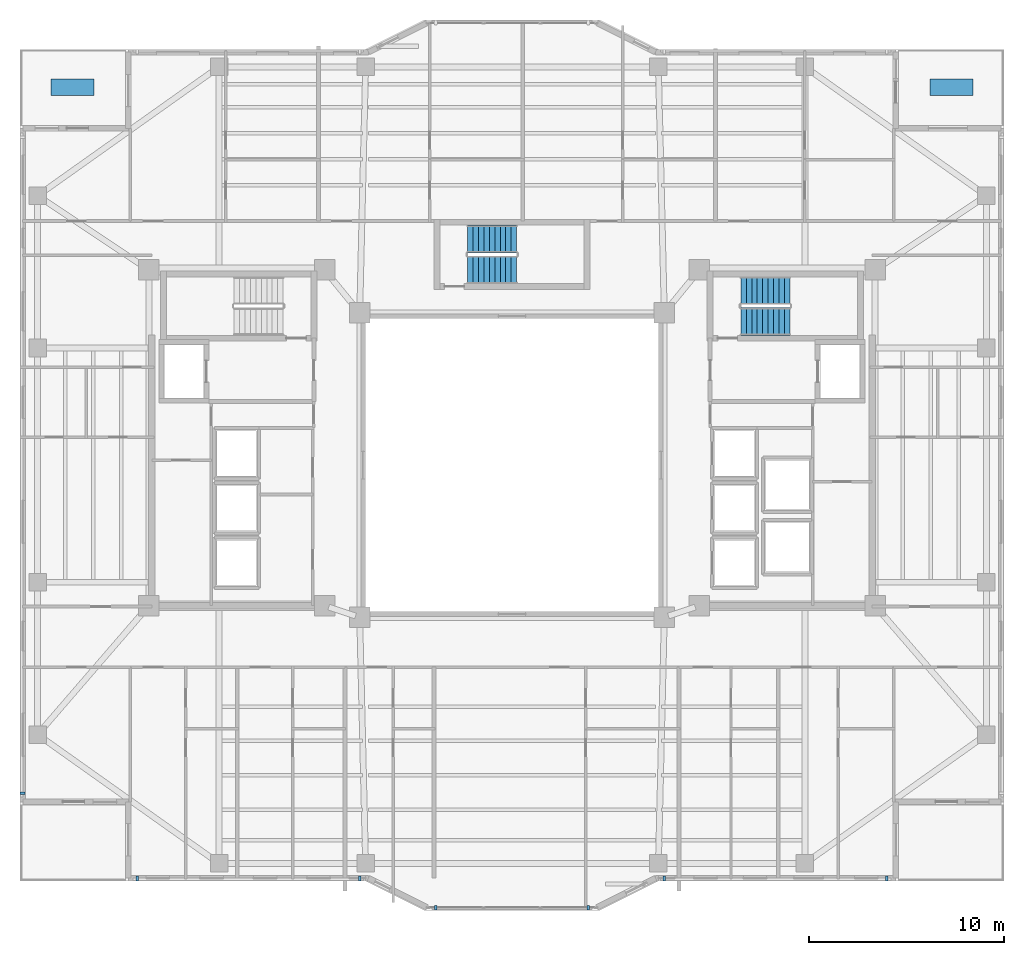
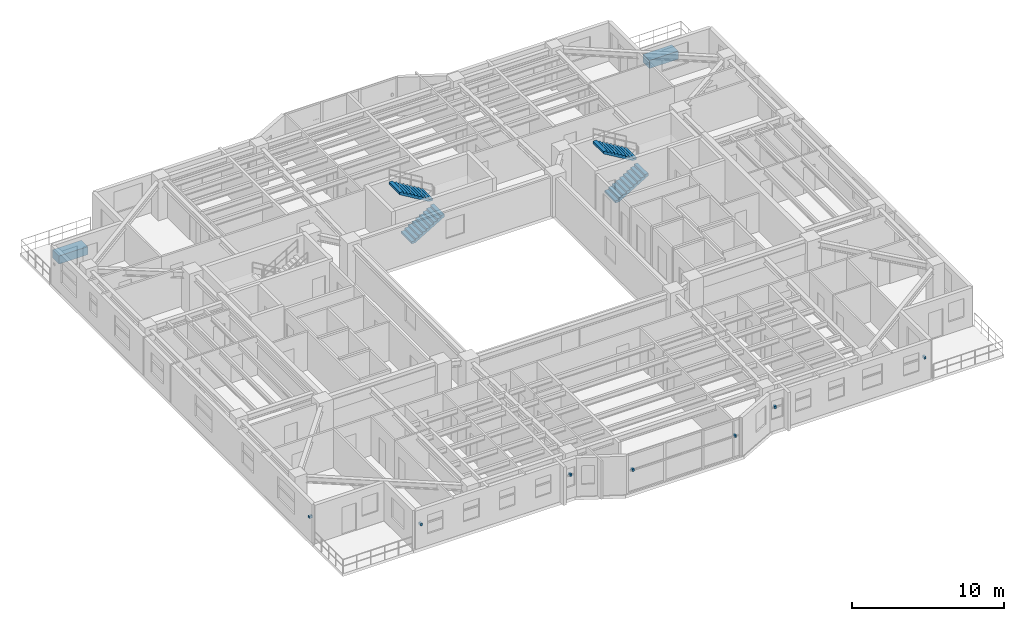
# One storey, part 12 of 17: 9 discrete accessories, 4 stair flights, 2 elements without a shape of their own.
"""IFC4 building model written with IfcOpenShell, lengths in metres."""

from ifc_helpers import new_model, si_unit, direction, frame, origin, origin_2d, place, context, subcontext, project, spatial, polyline, rectangle, outline, extrude, material, type_object, element, aggregate, save


model = new_model("IFC4")

# Units and contexts
model_context = context("Model", 3, precision=1e-05, world=origin(), true_north=direction((0.0, 1.0)))
body_context = subcontext(model_context, "Body", "Model", "MODEL_VIEW")
ifc_project = project(units=[si_unit("LENGTHUNIT", "METRE"), si_unit("AREAUNIT", "SQUARE_METRE"), si_unit("VOLUMEUNIT", "CUBIC_METRE"), si_unit("PLANEANGLEUNIT", "RADIAN"), si_unit("MASSUNIT", "GRAM", prefix="KILO")], contexts=[model_context])

# Site, building, storey
site_placement = place(None, origin())
site = spatial("IfcSite", under=ifc_project, at=site_placement, CompositionType="ELEMENT")
building_placement = place(site_placement, origin())
building = spatial("IfcBuilding", under=site, at=building_placement, Name="Tarnavaz Court Tower", CompositionType="ELEMENT")
storey_placement = place(building_placement, frame((0.0, 0.0, 132.60009765625)))
storey = spatial("IfcBuildingStorey", under=building, at=storey_placement, Name="L35", CompositionType="ELEMENT", Elevation=132.60009765625)

# Stair, stair flights
ifc_material_1 = material(Name="Concrete C40/50", Category="concrete")
stair_type = type_object("IfcStairType", Name="ST-TWR-20R", PredefinedType="HALF_TURN_STAIR", material=ifc_material_1)
stair_1_placement = place(storey_placement, origin())
stair_1 = element("IfcStair", 1, at=stair_1_placement, inside=storey, type_object=stair_type, Name="L35 East Core Pressurized Exit Stair ST-E1", PredefinedType="HALF_TURN_STAIR")
stair_flight_type = type_object("IfcStairFlightType", Name="SFL-RC-20R", PredefinedType="STRAIGHT", material=ifc_material_1)
stair_flight_1_placement = place(storey_placement, frame((11.719970703125, 7.360107421875, 0.0), z_axis=(0.0, 0.0, 1.0), x_axis=(1.0, 0.0, 0.0)))
stair_flight_1 = element("IfcStairFlight", 2, at=stair_flight_1_placement, type_object=stair_flight_type, Name="ST-E1 flight 1", NumberOfRisers=10, NumberOfTreads=9, PredefinedType="STRAIGHT", RiserHeight=0.1675, TreadLength=0.28, context=body_context, shape_type="SweptSolid", body=[
    extrude(outline(polyline([(0.0, 0.0), (0.0, 0.16748046875), (0.280029296875, 0.16748046875), (0.280029296875, 0.3349609375), (0.56005859375, 0.3349609375), (0.56005859375, 0.50244140625), (0.840087890625, 0.50244140625), (0.840087890625, 0.669921875), (1.1201171875, 0.669921875), (1.1201171875, 0.83740234375), (1.39990234375, 0.83740234375), (1.39990234375, 1.0048828125), (1.679931640625, 1.0048828125), (1.679931640625, 1.172607421875), (1.9599609375, 1.172607421875), (1.9599609375, 1.340087890625), (2.239990234375, 1.340087890625), (2.239990234375, 1.507568359375), (2.52001953125, 1.507568359375), (2.52001953125, 1.675048828125), (2.52001953125, 1.332763671875), (0.2919921875, 0.0), (0.0, 0.0)])), frame((0.0, 0.7099609375, 0.0), z_axis=(0.0, -1.0, 0.0), x_axis=(1.0, 0.0, 0.0)), (0.0, 0.0, 1.0), 1.419921875),
])
stair_flight_2_placement = place(storey_placement, frame((14.239990234375, 8.929931640625, 1.6748046875), z_axis=(0.0, 0.0, 1.0), x_axis=(-1.0, 0.0, 0.0)))
stair_flight_2 = element("IfcStairFlight", 3, at=stair_flight_2_placement, type_object=stair_flight_type, Name="ST-E1 flight 2", NumberOfRisers=10, NumberOfTreads=9, PredefinedType="STRAIGHT", RiserHeight=0.1675, TreadLength=0.28, context=body_context, shape_type="SweptSolid", body=[
    extrude(outline(polyline([(0.0, 0.0), (0.0, 0.16748046875), (0.280029296875, 0.16748046875), (0.280029296875, 0.3349609375), (0.56005859375, 0.3349609375), (0.56005859375, 0.50244140625), (0.840087890625, 0.50244140625), (0.840087890625, 0.669921875), (1.1201171875, 0.669921875), (1.1201171875, 0.83740234375), (1.39990234375, 0.83740234375), (1.39990234375, 1.0048828125), (1.679931640625, 1.0048828125), (1.679931640625, 1.172607421875), (1.9599609375, 1.172607421875), (1.9599609375, 1.340087890625), (2.239990234375, 1.340087890625), (2.239990234375, 1.507568359375), (2.52001953125, 1.507568359375), (2.52001953125, 1.675048828125), (2.52001953125, 1.332763671875), (0.2919921875, 0.0), (0.0, 0.0)])), frame((0.0, 0.7099609375, 0.0), z_axis=(0.0, -1.0, 0.0), x_axis=(1.0, 0.0, 0.0)), (0.0, 0.0, 1.0), 1.419921875),
])
aggregate(stair_1, [stair_flight_1, stair_flight_2])

stair_2_placement = place(storey_placement, origin())
stair_2 = element("IfcStair", 4, at=stair_2_placement, inside=storey, type_object=stair_type, Name="L35 North Ring Pressurized Exit Stair ST-N1", PredefinedType="HALF_TURN_STAIR")
stair_flight_3_placement = place(storey_placement, frame((-2.280029296875, 10.010009765625, 0.0), z_axis=(0.0, 0.0, 1.0), x_axis=(1.0, 0.0, 0.0)))
stair_flight_3 = element("IfcStairFlight", 5, at=stair_flight_3_placement, type_object=stair_flight_type, Name="ST-N1 flight 1", NumberOfRisers=10, NumberOfTreads=9, PredefinedType="STRAIGHT", RiserHeight=0.1675, TreadLength=0.28, context=body_context, shape_type="SweptSolid", body=[
    extrude(outline(polyline([(0.0, 0.0), (0.0, 0.16748046875), (0.280029296875, 0.16748046875), (0.280029296875, 0.3349609375), (0.56005859375, 0.3349609375), (0.56005859375, 0.50244140625), (0.840087890625, 0.50244140625), (0.840087890625, 0.669921875), (1.1201171875, 0.669921875), (1.1201171875, 0.83740234375), (1.39990234375, 0.83740234375), (1.39990234375, 1.0048828125), (1.679931640625, 1.0048828125), (1.679931640625, 1.172607421875), (1.9599609375, 1.172607421875), (1.9599609375, 1.340087890625), (2.239990234375, 1.340087890625), (2.239990234375, 1.507568359375), (2.52001953125, 1.507568359375), (2.52001953125, 1.675048828125), (2.52001953125, 1.332763671875), (0.2919921875, 0.0), (0.0, 0.0)])), frame((0.0, 0.7099609375, 0.0), z_axis=(0.0, -1.0, 0.0), x_axis=(1.0, 0.0, 0.0)), (0.0, 0.0, 1.0), 1.419921875),
])
stair_flight_4_placement = place(storey_placement, frame((0.239990234375, 11.580078125, 1.6748046875), z_axis=(0.0, 0.0, 1.0), x_axis=(-1.0, 0.0, 0.0)))
stair_flight_4 = element("IfcStairFlight", 6, at=stair_flight_4_placement, type_object=stair_flight_type, Name="ST-N1 flight 2", NumberOfRisers=10, NumberOfTreads=9, PredefinedType="STRAIGHT", RiserHeight=0.1675, TreadLength=0.28, context=body_context, shape_type="SweptSolid", body=[
    extrude(outline(polyline([(0.0, 0.0), (0.0, 0.16748046875), (0.280029296875, 0.16748046875), (0.280029296875, 0.3349609375), (0.56005859375, 0.3349609375), (0.56005859375, 0.50244140625), (0.840087890625, 0.50244140625), (0.840087890625, 0.669921875), (1.1201171875, 0.669921875), (1.1201171875, 0.83740234375), (1.39990234375, 0.83740234375), (1.39990234375, 1.0048828125), (1.679931640625, 1.0048828125), (1.679931640625, 1.172607421875), (1.9599609375, 1.172607421875), (1.9599609375, 1.340087890625), (2.239990234375, 1.340087890625), (2.239990234375, 1.507568359375), (2.52001953125, 1.507568359375), (2.52001953125, 1.675048828125), (2.52001953125, 1.332763671875), (0.2919921875, 0.0), (0.0, 0.0)])), frame((0.0, 0.7099609375, 0.0), z_axis=(0.0, -1.0, 0.0), x_axis=(1.0, 0.0, 0.0)), (0.0, 0.0, 1.0), 1.419921875),
])
aggregate(stair_2, [stair_flight_3, stair_flight_4])

# Discrete accessories
ifc_material_2 = material(Name="Anodised Aluminium 6063-T6", Category="aluminium")
discrete_accessory_type_1 = type_object("IfcDiscreteAccessoryType", Name="DA-BRKT-ALU", PredefinedType="BRACKET", material=ifc_material_2)
for number, where, z_axis, x_axis, name in (
    (7, (-25.070068359375, -16.800048828125, 1.75), (0.0, 0.0, 1.0), (0.0, 1.0, 0.0), "L35 Baguette Outrigger Bracket FBG02-1"),
    (8, (19.199951171875, -21.169921875, 1.75), (0.0, 0.0, 1.0), (-1.0, 0.0, 0.0), "L35 Baguette Outrigger Bracket FBG15-1"),
    (9, (7.800048828125, -21.169921875, 1.75), (0.0, 0.0, 1.0), (-1.0, 0.0, 0.0), "L35 Baguette Outrigger Bracket FBG15-2"),
    (10, (3.89990234375, -22.669921875, 1.69970703125), (0.0, 0.0, 1.0), (-1.0, 0.0, 0.0), "L35 Baguette Outrigger Bracket PBG17-1"),
    (11, (-3.89990234375, -22.669921875, 1.69970703125), (0.0, 0.0, 1.0), (-1.0, 0.0, 0.0), "L35 Baguette Outrigger Bracket PBG17-2"),
    (12, (-7.800048828125, -21.169921875, 1.75), (0.0, 0.0, 1.0), (-1.0, 0.0, 0.0), "L35 Baguette Outrigger Bracket FBG19-1"),
    (13, (-19.199951171875, -21.169921875, 1.75), (0.0, 0.0, 1.0), (-1.0, 0.0, 0.0), "L35 Baguette Outrigger Bracket FBG19-2"),
):
    element("IfcDiscreteAccessory", number, at=place(storey_placement, frame(where, z_axis=z_axis, x_axis=x_axis)), inside=storey, type_object=discrete_accessory_type_1, Name=name, PredefinedType="BRACKET", context=body_context, shape_type="SweptSolid", body=[
        extrude(rectangle(XDim=0.139892578125, YDim=0.239990234375, at=origin_2d()), origin(), (0.0, 0.0, 1.0), 0.199951171875),
    ])
ifc_material_3 = material(Name="Terracotta Architectural Planter Trough", Category="masonry")
discrete_accessory_type_2 = type_object("IfcDiscreteAccessoryType", Name="DA-PLANTER-TC", PredefinedType="USERDEFINED", material=ifc_material_3)
for number, where, z_axis, x_axis, name in (
    (14, (22.5, 19.35009765625, 0.0), (0.0, 0.0, 1.0), (1.0, 0.0, 0.0), "L35 Chahar-Bagh Terracotta Landscape Planter 1"),
    (15, (-22.5, 19.35009765625, 0.0), (0.0, 0.0, 1.0), (1.0, 0.0, 0.0), "L35 Chahar-Bagh Terracotta Landscape Planter 2"),
):
    element("IfcDiscreteAccessory", number, at=place(storey_placement, frame(where, z_axis=z_axis, x_axis=x_axis)), inside=storey, type_object=discrete_accessory_type_2, Name=name, ObjectType="PLANTER", PredefinedType="USERDEFINED", context=body_context, shape_type="SweptSolid", body=[
        extrude(rectangle(XDim=2.199951171875, YDim=0.85009765625, at=origin_2d()), origin(), (0.0, 0.0, 1.0), 0.64990234375),
    ])

save(model, "model.ifc")
